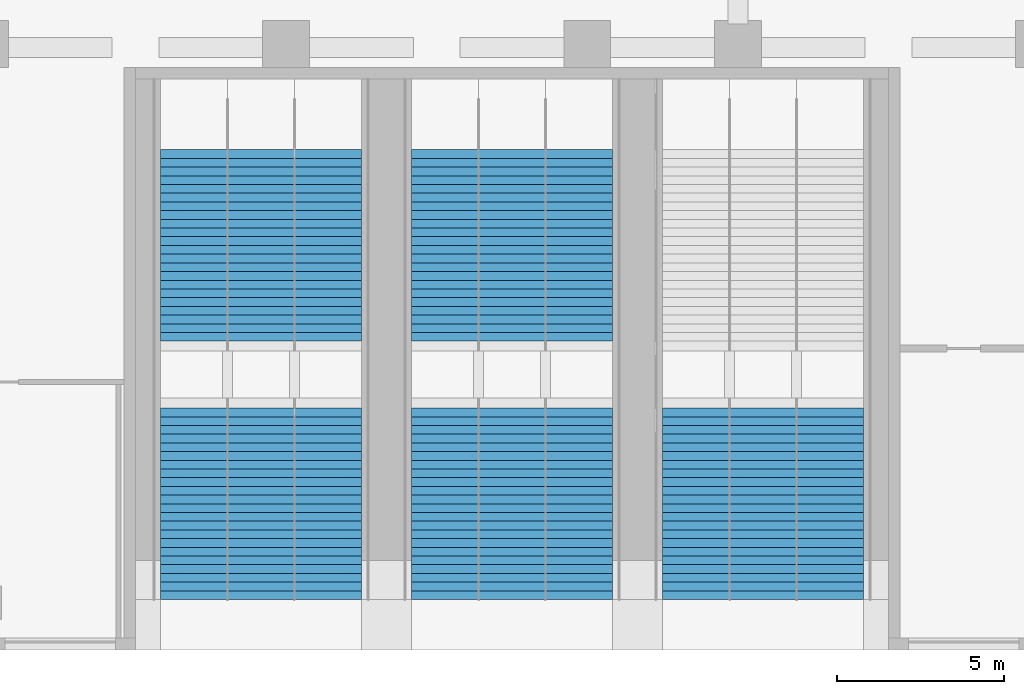
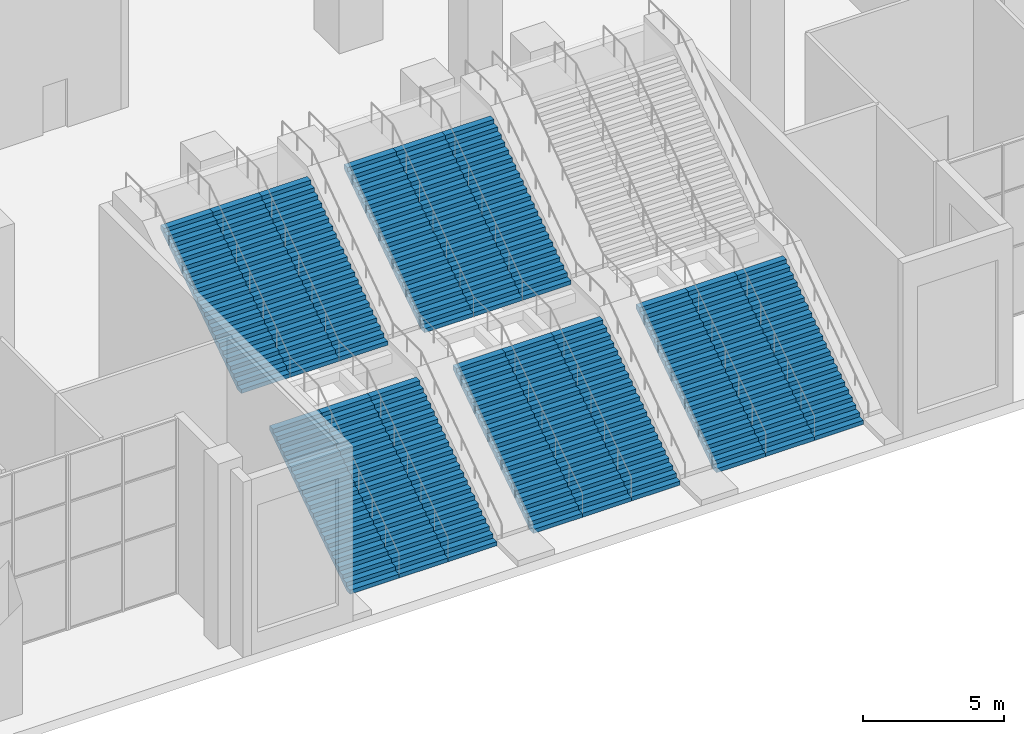
# One storey, part 18 of 32: 15 stair flights, 9 elements without a shape of their own.
"""IFC4 building model written with IfcOpenShell, lengths in metres."""

from ifc_helpers import new_model, si_unit, direction, frame, origin, place, context, subcontext, project, spatial, polyline, outline, extrude, material, constituent, constituent_set, type_object, element, aggregate, save


model = new_model("IFC4")

# Units and contexts
model_context = context("Model", 3, precision=1e-05, world=origin(), true_north=direction((0.0, 1.0)))
body_context = subcontext(model_context, "Body", "Model", "MODEL_VIEW")
ifc_project = project(units=[si_unit("LENGTHUNIT", "METRE"), si_unit("AREAUNIT", "SQUARE_METRE"), si_unit("VOLUMEUNIT", "CUBIC_METRE"), si_unit("PLANEANGLEUNIT", "RADIAN"), si_unit("MASSUNIT", "GRAM", prefix="KILO")], contexts=[model_context])

# Site, building, storey
site_placement = place(None, origin())
site = spatial("IfcSite", under=ifc_project, at=site_placement, CompositionType="ELEMENT")
building_placement = place(site_placement, origin())
building = spatial("IfcBuilding", under=site, at=building_placement, Name="Quoin Convention Tower", CompositionType="ELEMENT")
storey_placement = place(building_placement, origin())
storey = spatial("IfcBuildingStorey", under=building, at=storey_placement, Name="L00", CompositionType="ELEMENT", Elevation=0.0)

# Stair, stair flights
ifc_material_1 = material(Name="Concrete C40", Category="concrete")
ifc_constituent_1 = constituent(ifc_material_1, Name="Structure")
ifc_material_2 = material(Name="Granite", Category="masonry")
ifc_constituent_2 = constituent(ifc_material_2, Name="Finish")
ifc_constituent_set_1 = constituent_set(constituents=[ifc_constituent_1, ifc_constituent_2], Name="Concrete C40")
stair_type = type_object("IfcStairType", Name="Broad street stair", PredefinedType="STRAIGHT_RUN_STAIR", material=ifc_constituent_set_1)
stair_1_placement = place(storey_placement, origin())
stair_1 = element("IfcStair", 1, at=stair_1_placement, inside=storey, type_object=stair_type, Name="Broad street stair 1", PredefinedType="STRAIGHT_RUN_STAIR")
ifc_constituent_3 = constituent(ifc_material_1, Name="Structure")
ifc_constituent_4 = constituent(ifc_material_2, Name="Finish")
ifc_constituent_set_2 = constituent_set(constituents=[ifc_constituent_3, ifc_constituent_4], Name="Concrete C40")
stair_flight_type = type_object("IfcStairFlightType", Name="Broad street stair flight", PredefinedType="STRAIGHT", material=ifc_constituent_set_2)
stair_flight_1_placement = place(storey_placement, frame((42.25, 1.5, 0.0), z_axis=(0.0, 0.0, 1.0), x_axis=(0.0, 1.0, 0.0)))
stair_flight_1 = element("IfcStairFlight", 2, at=stair_flight_1_placement, type_object=stair_flight_type, Name="BS1 flight 1", NumberOfRisers=23, NumberOfTreads=22, PredefinedType="STRAIGHT", RiserHeight=0.173913043, TreadLength=0.26, context=body_context, shape_type="SweptSolid", body=[
    extrude(outline(polyline([(0.0, 0.0), (0.0, 0.173828125), (0.260009765625, 0.173828125), (0.260009765625, 0.347900390625), (0.52001953125, 0.347900390625), (0.52001953125, 0.521728515625), (0.780029296875, 0.521728515625), (0.780029296875, 0.695556640625), (1.0400390625, 0.695556640625), (1.0400390625, 0.86962890625), (1.300048828125, 0.86962890625), (1.300048828125, 1.04345703125), (1.56005859375, 1.04345703125), (1.56005859375, 1.21728515625), (1.820068359375, 1.21728515625), (1.820068359375, 1.391357421875), (2.080078125, 1.391357421875), (2.080078125, 1.565185546875), (2.340087890625, 1.565185546875), (2.340087890625, 1.739013671875), (2.60009765625, 1.739013671875), (2.60009765625, 1.9130859375), (2.860107421875, 1.9130859375), (2.860107421875, 2.0869140625), (3.1201171875, 2.0869140625), (3.1201171875, 2.260986328125), (3.3798828125, 2.260986328125), (3.3798828125, 2.434814453125), (3.639892578125, 2.434814453125), (3.639892578125, 2.608642578125), (3.89990234375, 2.608642578125), (3.89990234375, 2.78271484375), (4.159912109375, 2.78271484375), (4.159912109375, 2.95654296875), (4.419921875, 2.95654296875), (4.419921875, 3.13037109375), (4.679931640625, 3.13037109375), (4.679931640625, 3.304443359375), (4.93994140625, 3.304443359375), (4.93994140625, 3.478271484375), (5.199951171875, 3.478271484375), (5.199951171875, 3.652099609375), (5.4599609375, 3.652099609375), (5.4599609375, 3.826171875), (5.719970703125, 3.826171875), (5.719970703125, 4.0), (5.719970703125, 3.645751953125), (0.26953125, 0.0), (0.0, 0.0)])), frame((0.0, 1.0, 0.0), z_axis=(0.0, -1.0, 0.0), x_axis=(1.0, 0.0, 0.0)), (0.0, 0.0, 1.0), 2.0),
])
stair_flight_2_placement = place(storey_placement, frame((42.25, 9.219970703125, 4.0), z_axis=(0.0, 0.0, 1.0), x_axis=(0.0, 1.0, 0.0)))
stair_flight_2 = element("IfcStairFlight", 3, at=stair_flight_2_placement, type_object=stair_flight_type, Name="BS1 flight 2", NumberOfRisers=23, NumberOfTreads=22, PredefinedType="STRAIGHT", RiserHeight=0.173913043, TreadLength=0.26, context=body_context, shape_type="SweptSolid", body=[
    extrude(outline(polyline([(0.0, 0.0), (0.0, 0.173828125), (0.260009765625, 0.173828125), (0.260009765625, 0.347900390625), (0.52001953125, 0.347900390625), (0.52001953125, 0.521728515625), (0.780029296875, 0.521728515625), (0.780029296875, 0.695556640625), (1.0400390625, 0.695556640625), (1.0400390625, 0.86962890625), (1.300048828125, 0.86962890625), (1.300048828125, 1.04345703125), (1.56005859375, 1.04345703125), (1.56005859375, 1.21728515625), (1.820068359375, 1.21728515625), (1.820068359375, 1.391357421875), (2.080078125, 1.391357421875), (2.080078125, 1.565185546875), (2.340087890625, 1.565185546875), (2.340087890625, 1.739013671875), (2.60009765625, 1.739013671875), (2.60009765625, 1.9130859375), (2.860107421875, 1.9130859375), (2.860107421875, 2.0869140625), (3.1201171875, 2.0869140625), (3.1201171875, 2.260986328125), (3.3798828125, 2.260986328125), (3.3798828125, 2.434814453125), (3.639892578125, 2.434814453125), (3.639892578125, 2.608642578125), (3.89990234375, 2.608642578125), (3.89990234375, 2.78271484375), (4.159912109375, 2.78271484375), (4.159912109375, 2.95654296875), (4.419921875, 2.95654296875), (4.419921875, 3.13037109375), (4.679931640625, 3.13037109375), (4.679931640625, 3.304443359375), (4.93994140625, 3.304443359375), (4.93994140625, 3.478271484375), (5.199951171875, 3.478271484375), (5.199951171875, 3.652099609375), (5.4599609375, 3.652099609375), (5.4599609375, 3.826171875), (5.719970703125, 3.826171875), (5.719970703125, 4.0), (5.719970703125, 3.645751953125), (0.26953125, 0.0), (0.0, 0.0)])), frame((0.0, 1.0, 0.0), z_axis=(0.0, -1.0, 0.0), x_axis=(1.0, 0.0, 0.0)), (0.0, 0.0, 1.0), 2.0),
])
aggregate(stair_1, [stair_flight_1, stair_flight_2])

stair_2_placement = place(storey_placement, origin())
stair_2 = element("IfcStair", 4, at=stair_2_placement, inside=storey, type_object=stair_type, Name="Broad street stair 2", PredefinedType="STRAIGHT_RUN_STAIR")
stair_flight_3_placement = place(storey_placement, frame((44.25, 1.5, 0.0), z_axis=(0.0, 0.0, 1.0), x_axis=(0.0, 1.0, 0.0)))
stair_flight_3 = element("IfcStairFlight", 5, at=stair_flight_3_placement, type_object=stair_flight_type, Name="BS2 flight 1", NumberOfRisers=23, NumberOfTreads=22, PredefinedType="STRAIGHT", RiserHeight=0.173913043, TreadLength=0.26, context=body_context, shape_type="SweptSolid", body=[
    extrude(outline(polyline([(0.0, 0.0), (0.0, 0.173828125), (0.260009765625, 0.173828125), (0.260009765625, 0.347900390625), (0.52001953125, 0.347900390625), (0.52001953125, 0.521728515625), (0.780029296875, 0.521728515625), (0.780029296875, 0.695556640625), (1.0400390625, 0.695556640625), (1.0400390625, 0.86962890625), (1.300048828125, 0.86962890625), (1.300048828125, 1.04345703125), (1.56005859375, 1.04345703125), (1.56005859375, 1.21728515625), (1.820068359375, 1.21728515625), (1.820068359375, 1.391357421875), (2.080078125, 1.391357421875), (2.080078125, 1.565185546875), (2.340087890625, 1.565185546875), (2.340087890625, 1.739013671875), (2.60009765625, 1.739013671875), (2.60009765625, 1.9130859375), (2.860107421875, 1.9130859375), (2.860107421875, 2.0869140625), (3.1201171875, 2.0869140625), (3.1201171875, 2.260986328125), (3.3798828125, 2.260986328125), (3.3798828125, 2.434814453125), (3.639892578125, 2.434814453125), (3.639892578125, 2.608642578125), (3.89990234375, 2.608642578125), (3.89990234375, 2.78271484375), (4.159912109375, 2.78271484375), (4.159912109375, 2.95654296875), (4.419921875, 2.95654296875), (4.419921875, 3.13037109375), (4.679931640625, 3.13037109375), (4.679931640625, 3.304443359375), (4.93994140625, 3.304443359375), (4.93994140625, 3.478271484375), (5.199951171875, 3.478271484375), (5.199951171875, 3.652099609375), (5.4599609375, 3.652099609375), (5.4599609375, 3.826171875), (5.719970703125, 3.826171875), (5.719970703125, 4.0), (5.719970703125, 3.645751953125), (0.26953125, 0.0), (0.0, 0.0)])), frame((0.0, 1.0, 0.0), z_axis=(0.0, -1.0, 0.0), x_axis=(1.0, 0.0, 0.0)), (0.0, 0.0, 1.0), 2.0),
])
stair_flight_4_placement = place(storey_placement, frame((44.25, 9.219970703125, 4.0), z_axis=(0.0, 0.0, 1.0), x_axis=(0.0, 1.0, 0.0)))
stair_flight_4 = element("IfcStairFlight", 6, at=stair_flight_4_placement, type_object=stair_flight_type, Name="BS2 flight 2", NumberOfRisers=23, NumberOfTreads=22, PredefinedType="STRAIGHT", RiserHeight=0.173913043, TreadLength=0.26, context=body_context, shape_type="SweptSolid", body=[
    extrude(outline(polyline([(0.0, 0.0), (0.0, 0.173828125), (0.260009765625, 0.173828125), (0.260009765625, 0.347900390625), (0.52001953125, 0.347900390625), (0.52001953125, 0.521728515625), (0.780029296875, 0.521728515625), (0.780029296875, 0.695556640625), (1.0400390625, 0.695556640625), (1.0400390625, 0.86962890625), (1.300048828125, 0.86962890625), (1.300048828125, 1.04345703125), (1.56005859375, 1.04345703125), (1.56005859375, 1.21728515625), (1.820068359375, 1.21728515625), (1.820068359375, 1.391357421875), (2.080078125, 1.391357421875), (2.080078125, 1.565185546875), (2.340087890625, 1.565185546875), (2.340087890625, 1.739013671875), (2.60009765625, 1.739013671875), (2.60009765625, 1.9130859375), (2.860107421875, 1.9130859375), (2.860107421875, 2.0869140625), (3.1201171875, 2.0869140625), (3.1201171875, 2.260986328125), (3.3798828125, 2.260986328125), (3.3798828125, 2.434814453125), (3.639892578125, 2.434814453125), (3.639892578125, 2.608642578125), (3.89990234375, 2.608642578125), (3.89990234375, 2.78271484375), (4.159912109375, 2.78271484375), (4.159912109375, 2.95654296875), (4.419921875, 2.95654296875), (4.419921875, 3.13037109375), (4.679931640625, 3.13037109375), (4.679931640625, 3.304443359375), (4.93994140625, 3.304443359375), (4.93994140625, 3.478271484375), (5.199951171875, 3.478271484375), (5.199951171875, 3.652099609375), (5.4599609375, 3.652099609375), (5.4599609375, 3.826171875), (5.719970703125, 3.826171875), (5.719970703125, 4.0), (5.719970703125, 3.645751953125), (0.26953125, 0.0), (0.0, 0.0)])), frame((0.0, 1.0, 0.0), z_axis=(0.0, -1.0, 0.0), x_axis=(1.0, 0.0, 0.0)), (0.0, 0.0, 1.0), 2.0),
])
aggregate(stair_2, [stair_flight_3, stair_flight_4])

stair_3_placement = place(storey_placement, origin())
stair_3 = element("IfcStair", 7, at=stair_3_placement, inside=storey, type_object=stair_type, Name="Broad street stair 3", PredefinedType="STRAIGHT_RUN_STAIR")
stair_flight_5_placement = place(storey_placement, frame((46.25, 1.5, 0.0), z_axis=(0.0, 0.0, 1.0), x_axis=(0.0, 1.0, 0.0)))
stair_flight_5 = element("IfcStairFlight", 8, at=stair_flight_5_placement, type_object=stair_flight_type, Name="BS3 flight 1", NumberOfRisers=23, NumberOfTreads=22, PredefinedType="STRAIGHT", RiserHeight=0.173913043, TreadLength=0.26, context=body_context, shape_type="SweptSolid", body=[
    extrude(outline(polyline([(0.0, 0.0), (0.0, 0.173828125), (0.260009765625, 0.173828125), (0.260009765625, 0.347900390625), (0.52001953125, 0.347900390625), (0.52001953125, 0.521728515625), (0.780029296875, 0.521728515625), (0.780029296875, 0.695556640625), (1.0400390625, 0.695556640625), (1.0400390625, 0.86962890625), (1.300048828125, 0.86962890625), (1.300048828125, 1.04345703125), (1.56005859375, 1.04345703125), (1.56005859375, 1.21728515625), (1.820068359375, 1.21728515625), (1.820068359375, 1.391357421875), (2.080078125, 1.391357421875), (2.080078125, 1.565185546875), (2.340087890625, 1.565185546875), (2.340087890625, 1.739013671875), (2.60009765625, 1.739013671875), (2.60009765625, 1.9130859375), (2.860107421875, 1.9130859375), (2.860107421875, 2.0869140625), (3.1201171875, 2.0869140625), (3.1201171875, 2.260986328125), (3.3798828125, 2.260986328125), (3.3798828125, 2.434814453125), (3.639892578125, 2.434814453125), (3.639892578125, 2.608642578125), (3.89990234375, 2.608642578125), (3.89990234375, 2.78271484375), (4.159912109375, 2.78271484375), (4.159912109375, 2.95654296875), (4.419921875, 2.95654296875), (4.419921875, 3.13037109375), (4.679931640625, 3.13037109375), (4.679931640625, 3.304443359375), (4.93994140625, 3.304443359375), (4.93994140625, 3.478271484375), (5.199951171875, 3.478271484375), (5.199951171875, 3.652099609375), (5.4599609375, 3.652099609375), (5.4599609375, 3.826171875), (5.719970703125, 3.826171875), (5.719970703125, 4.0), (5.719970703125, 3.645751953125), (0.26953125, 0.0), (0.0, 0.0)])), frame((0.0, 1.0, 0.0), z_axis=(0.0, -1.0, 0.0), x_axis=(1.0, 0.0, 0.0)), (0.0, 0.0, 1.0), 2.0),
])
stair_flight_6_placement = place(storey_placement, frame((46.25, 9.219970703125, 4.0), z_axis=(0.0, 0.0, 1.0), x_axis=(0.0, 1.0, 0.0)))
stair_flight_6 = element("IfcStairFlight", 9, at=stair_flight_6_placement, type_object=stair_flight_type, Name="BS3 flight 2", NumberOfRisers=23, NumberOfTreads=22, PredefinedType="STRAIGHT", RiserHeight=0.173913043, TreadLength=0.26, context=body_context, shape_type="SweptSolid", body=[
    extrude(outline(polyline([(0.0, 0.0), (0.0, 0.173828125), (0.260009765625, 0.173828125), (0.260009765625, 0.347900390625), (0.52001953125, 0.347900390625), (0.52001953125, 0.521728515625), (0.780029296875, 0.521728515625), (0.780029296875, 0.695556640625), (1.0400390625, 0.695556640625), (1.0400390625, 0.86962890625), (1.300048828125, 0.86962890625), (1.300048828125, 1.04345703125), (1.56005859375, 1.04345703125), (1.56005859375, 1.21728515625), (1.820068359375, 1.21728515625), (1.820068359375, 1.391357421875), (2.080078125, 1.391357421875), (2.080078125, 1.565185546875), (2.340087890625, 1.565185546875), (2.340087890625, 1.739013671875), (2.60009765625, 1.739013671875), (2.60009765625, 1.9130859375), (2.860107421875, 1.9130859375), (2.860107421875, 2.0869140625), (3.1201171875, 2.0869140625), (3.1201171875, 2.260986328125), (3.3798828125, 2.260986328125), (3.3798828125, 2.434814453125), (3.639892578125, 2.434814453125), (3.639892578125, 2.608642578125), (3.89990234375, 2.608642578125), (3.89990234375, 2.78271484375), (4.159912109375, 2.78271484375), (4.159912109375, 2.95654296875), (4.419921875, 2.95654296875), (4.419921875, 3.13037109375), (4.679931640625, 3.13037109375), (4.679931640625, 3.304443359375), (4.93994140625, 3.304443359375), (4.93994140625, 3.478271484375), (5.199951171875, 3.478271484375), (5.199951171875, 3.652099609375), (5.4599609375, 3.652099609375), (5.4599609375, 3.826171875), (5.719970703125, 3.826171875), (5.719970703125, 4.0), (5.719970703125, 3.645751953125), (0.26953125, 0.0), (0.0, 0.0)])), frame((0.0, 1.0, 0.0), z_axis=(0.0, -1.0, 0.0), x_axis=(1.0, 0.0, 0.0)), (0.0, 0.0, 1.0), 2.0),
])
aggregate(stair_3, [stair_flight_5, stair_flight_6])

stair_4_placement = place(storey_placement, origin())
stair_4 = element("IfcStair", 10, at=stair_4_placement, inside=storey, type_object=stair_type, Name="Broad street stair 4", PredefinedType="STRAIGHT_RUN_STAIR")
stair_flight_7_placement = place(storey_placement, frame((49.75, 1.5, 0.0), z_axis=(0.0, 0.0, 1.0), x_axis=(0.0, 1.0, 0.0)))
stair_flight_7 = element("IfcStairFlight", 11, at=stair_flight_7_placement, type_object=stair_flight_type, Name="BS4 flight 1", NumberOfRisers=23, NumberOfTreads=22, PredefinedType="STRAIGHT", RiserHeight=0.173913043, TreadLength=0.26, context=body_context, shape_type="SweptSolid", body=[
    extrude(outline(polyline([(0.0, 0.0), (0.0, 0.173828125), (0.260009765625, 0.173828125), (0.260009765625, 0.347900390625), (0.52001953125, 0.347900390625), (0.52001953125, 0.521728515625), (0.780029296875, 0.521728515625), (0.780029296875, 0.695556640625), (1.0400390625, 0.695556640625), (1.0400390625, 0.86962890625), (1.300048828125, 0.86962890625), (1.300048828125, 1.04345703125), (1.56005859375, 1.04345703125), (1.56005859375, 1.21728515625), (1.820068359375, 1.21728515625), (1.820068359375, 1.391357421875), (2.080078125, 1.391357421875), (2.080078125, 1.565185546875), (2.340087890625, 1.565185546875), (2.340087890625, 1.739013671875), (2.60009765625, 1.739013671875), (2.60009765625, 1.9130859375), (2.860107421875, 1.9130859375), (2.860107421875, 2.0869140625), (3.1201171875, 2.0869140625), (3.1201171875, 2.260986328125), (3.3798828125, 2.260986328125), (3.3798828125, 2.434814453125), (3.639892578125, 2.434814453125), (3.639892578125, 2.608642578125), (3.89990234375, 2.608642578125), (3.89990234375, 2.78271484375), (4.159912109375, 2.78271484375), (4.159912109375, 2.95654296875), (4.419921875, 2.95654296875), (4.419921875, 3.13037109375), (4.679931640625, 3.13037109375), (4.679931640625, 3.304443359375), (4.93994140625, 3.304443359375), (4.93994140625, 3.478271484375), (5.199951171875, 3.478271484375), (5.199951171875, 3.652099609375), (5.4599609375, 3.652099609375), (5.4599609375, 3.826171875), (5.719970703125, 3.826171875), (5.719970703125, 4.0), (5.719970703125, 3.645751953125), (0.26953125, 0.0), (0.0, 0.0)])), frame((0.0, 1.0, 0.0), z_axis=(0.0, -1.0, 0.0), x_axis=(1.0, 0.0, 0.0)), (0.0, 0.0, 1.0), 2.0),
])
stair_flight_8_placement = place(storey_placement, frame((49.75, 9.219970703125, 4.0), z_axis=(0.0, 0.0, 1.0), x_axis=(0.0, 1.0, 0.0)))
stair_flight_8 = element("IfcStairFlight", 12, at=stair_flight_8_placement, type_object=stair_flight_type, Name="BS4 flight 2", NumberOfRisers=23, NumberOfTreads=22, PredefinedType="STRAIGHT", RiserHeight=0.173913043, TreadLength=0.26, context=body_context, shape_type="SweptSolid", body=[
    extrude(outline(polyline([(0.0, 0.0), (0.0, 0.173828125), (0.260009765625, 0.173828125), (0.260009765625, 0.347900390625), (0.52001953125, 0.347900390625), (0.52001953125, 0.521728515625), (0.780029296875, 0.521728515625), (0.780029296875, 0.695556640625), (1.0400390625, 0.695556640625), (1.0400390625, 0.86962890625), (1.300048828125, 0.86962890625), (1.300048828125, 1.04345703125), (1.56005859375, 1.04345703125), (1.56005859375, 1.21728515625), (1.820068359375, 1.21728515625), (1.820068359375, 1.391357421875), (2.080078125, 1.391357421875), (2.080078125, 1.565185546875), (2.340087890625, 1.565185546875), (2.340087890625, 1.739013671875), (2.60009765625, 1.739013671875), (2.60009765625, 1.9130859375), (2.860107421875, 1.9130859375), (2.860107421875, 2.0869140625), (3.1201171875, 2.0869140625), (3.1201171875, 2.260986328125), (3.3798828125, 2.260986328125), (3.3798828125, 2.434814453125), (3.639892578125, 2.434814453125), (3.639892578125, 2.608642578125), (3.89990234375, 2.608642578125), (3.89990234375, 2.78271484375), (4.159912109375, 2.78271484375), (4.159912109375, 2.95654296875), (4.419921875, 2.95654296875), (4.419921875, 3.13037109375), (4.679931640625, 3.13037109375), (4.679931640625, 3.304443359375), (4.93994140625, 3.304443359375), (4.93994140625, 3.478271484375), (5.199951171875, 3.478271484375), (5.199951171875, 3.652099609375), (5.4599609375, 3.652099609375), (5.4599609375, 3.826171875), (5.719970703125, 3.826171875), (5.719970703125, 4.0), (5.719970703125, 3.645751953125), (0.26953125, 0.0), (0.0, 0.0)])), frame((0.0, 1.0, 0.0), z_axis=(0.0, -1.0, 0.0), x_axis=(1.0, 0.0, 0.0)), (0.0, 0.0, 1.0), 2.0),
])
aggregate(stair_4, [stair_flight_7, stair_flight_8])

stair_5_placement = place(storey_placement, origin())
stair_5 = element("IfcStair", 13, at=stair_5_placement, inside=storey, type_object=stair_type, Name="Broad street stair 5", PredefinedType="STRAIGHT_RUN_STAIR")
stair_flight_9_placement = place(storey_placement, frame((51.75, 1.5, 0.0), z_axis=(0.0, 0.0, 1.0), x_axis=(0.0, 1.0, 0.0)))
stair_flight_9 = element("IfcStairFlight", 14, at=stair_flight_9_placement, type_object=stair_flight_type, Name="BS5 flight 1", NumberOfRisers=23, NumberOfTreads=22, PredefinedType="STRAIGHT", RiserHeight=0.173913043, TreadLength=0.26, context=body_context, shape_type="SweptSolid", body=[
    extrude(outline(polyline([(0.0, 0.0), (0.0, 0.173828125), (0.260009765625, 0.173828125), (0.260009765625, 0.347900390625), (0.52001953125, 0.347900390625), (0.52001953125, 0.521728515625), (0.780029296875, 0.521728515625), (0.780029296875, 0.695556640625), (1.0400390625, 0.695556640625), (1.0400390625, 0.86962890625), (1.300048828125, 0.86962890625), (1.300048828125, 1.04345703125), (1.56005859375, 1.04345703125), (1.56005859375, 1.21728515625), (1.820068359375, 1.21728515625), (1.820068359375, 1.391357421875), (2.080078125, 1.391357421875), (2.080078125, 1.565185546875), (2.340087890625, 1.565185546875), (2.340087890625, 1.739013671875), (2.60009765625, 1.739013671875), (2.60009765625, 1.9130859375), (2.860107421875, 1.9130859375), (2.860107421875, 2.0869140625), (3.1201171875, 2.0869140625), (3.1201171875, 2.260986328125), (3.3798828125, 2.260986328125), (3.3798828125, 2.434814453125), (3.639892578125, 2.434814453125), (3.639892578125, 2.608642578125), (3.89990234375, 2.608642578125), (3.89990234375, 2.78271484375), (4.159912109375, 2.78271484375), (4.159912109375, 2.95654296875), (4.419921875, 2.95654296875), (4.419921875, 3.13037109375), (4.679931640625, 3.13037109375), (4.679931640625, 3.304443359375), (4.93994140625, 3.304443359375), (4.93994140625, 3.478271484375), (5.199951171875, 3.478271484375), (5.199951171875, 3.652099609375), (5.4599609375, 3.652099609375), (5.4599609375, 3.826171875), (5.719970703125, 3.826171875), (5.719970703125, 4.0), (5.719970703125, 3.645751953125), (0.26953125, 0.0), (0.0, 0.0)])), frame((0.0, 1.0, 0.0), z_axis=(0.0, -1.0, 0.0), x_axis=(1.0, 0.0, 0.0)), (0.0, 0.0, 1.0), 2.0),
])
stair_flight_10_placement = place(storey_placement, frame((51.75, 9.219970703125, 4.0), z_axis=(0.0, 0.0, 1.0), x_axis=(0.0, 1.0, 0.0)))
stair_flight_10 = element("IfcStairFlight", 15, at=stair_flight_10_placement, type_object=stair_flight_type, Name="BS5 flight 2", NumberOfRisers=23, NumberOfTreads=22, PredefinedType="STRAIGHT", RiserHeight=0.173913043, TreadLength=0.26, context=body_context, shape_type="SweptSolid", body=[
    extrude(outline(polyline([(0.0, 0.0), (0.0, 0.173828125), (0.260009765625, 0.173828125), (0.260009765625, 0.347900390625), (0.52001953125, 0.347900390625), (0.52001953125, 0.521728515625), (0.780029296875, 0.521728515625), (0.780029296875, 0.695556640625), (1.0400390625, 0.695556640625), (1.0400390625, 0.86962890625), (1.300048828125, 0.86962890625), (1.300048828125, 1.04345703125), (1.56005859375, 1.04345703125), (1.56005859375, 1.21728515625), (1.820068359375, 1.21728515625), (1.820068359375, 1.391357421875), (2.080078125, 1.391357421875), (2.080078125, 1.565185546875), (2.340087890625, 1.565185546875), (2.340087890625, 1.739013671875), (2.60009765625, 1.739013671875), (2.60009765625, 1.9130859375), (2.860107421875, 1.9130859375), (2.860107421875, 2.0869140625), (3.1201171875, 2.0869140625), (3.1201171875, 2.260986328125), (3.3798828125, 2.260986328125), (3.3798828125, 2.434814453125), (3.639892578125, 2.434814453125), (3.639892578125, 2.608642578125), (3.89990234375, 2.608642578125), (3.89990234375, 2.78271484375), (4.159912109375, 2.78271484375), (4.159912109375, 2.95654296875), (4.419921875, 2.95654296875), (4.419921875, 3.13037109375), (4.679931640625, 3.13037109375), (4.679931640625, 3.304443359375), (4.93994140625, 3.304443359375), (4.93994140625, 3.478271484375), (5.199951171875, 3.478271484375), (5.199951171875, 3.652099609375), (5.4599609375, 3.652099609375), (5.4599609375, 3.826171875), (5.719970703125, 3.826171875), (5.719970703125, 4.0), (5.719970703125, 3.645751953125), (0.26953125, 0.0), (0.0, 0.0)])), frame((0.0, 1.0, 0.0), z_axis=(0.0, -1.0, 0.0), x_axis=(1.0, 0.0, 0.0)), (0.0, 0.0, 1.0), 2.0),
])
aggregate(stair_5, [stair_flight_9, stair_flight_10])

stair_6_placement = place(storey_placement, origin())
stair_6 = element("IfcStair", 16, at=stair_6_placement, inside=storey, type_object=stair_type, Name="Broad street stair 6", PredefinedType="STRAIGHT_RUN_STAIR")
stair_flight_11_placement = place(storey_placement, frame((53.75, 1.5, 0.0), z_axis=(0.0, 0.0, 1.0), x_axis=(0.0, 1.0, 0.0)))
stair_flight_11 = element("IfcStairFlight", 17, at=stair_flight_11_placement, type_object=stair_flight_type, Name="BS6 flight 1", NumberOfRisers=23, NumberOfTreads=22, PredefinedType="STRAIGHT", RiserHeight=0.173913043, TreadLength=0.26, context=body_context, shape_type="SweptSolid", body=[
    extrude(outline(polyline([(0.0, 0.0), (0.0, 0.173828125), (0.260009765625, 0.173828125), (0.260009765625, 0.347900390625), (0.52001953125, 0.347900390625), (0.52001953125, 0.521728515625), (0.780029296875, 0.521728515625), (0.780029296875, 0.695556640625), (1.0400390625, 0.695556640625), (1.0400390625, 0.86962890625), (1.300048828125, 0.86962890625), (1.300048828125, 1.04345703125), (1.56005859375, 1.04345703125), (1.56005859375, 1.21728515625), (1.820068359375, 1.21728515625), (1.820068359375, 1.391357421875), (2.080078125, 1.391357421875), (2.080078125, 1.565185546875), (2.340087890625, 1.565185546875), (2.340087890625, 1.739013671875), (2.60009765625, 1.739013671875), (2.60009765625, 1.9130859375), (2.860107421875, 1.9130859375), (2.860107421875, 2.0869140625), (3.1201171875, 2.0869140625), (3.1201171875, 2.260986328125), (3.3798828125, 2.260986328125), (3.3798828125, 2.434814453125), (3.639892578125, 2.434814453125), (3.639892578125, 2.608642578125), (3.89990234375, 2.608642578125), (3.89990234375, 2.78271484375), (4.159912109375, 2.78271484375), (4.159912109375, 2.95654296875), (4.419921875, 2.95654296875), (4.419921875, 3.13037109375), (4.679931640625, 3.13037109375), (4.679931640625, 3.304443359375), (4.93994140625, 3.304443359375), (4.93994140625, 3.478271484375), (5.199951171875, 3.478271484375), (5.199951171875, 3.652099609375), (5.4599609375, 3.652099609375), (5.4599609375, 3.826171875), (5.719970703125, 3.826171875), (5.719970703125, 4.0), (5.719970703125, 3.645751953125), (0.26953125, 0.0), (0.0, 0.0)])), frame((0.0, 1.0, 0.0), z_axis=(0.0, -1.0, 0.0), x_axis=(1.0, 0.0, 0.0)), (0.0, 0.0, 1.0), 2.0),
])
stair_flight_12_placement = place(storey_placement, frame((53.75, 9.219970703125, 4.0), z_axis=(0.0, 0.0, 1.0), x_axis=(0.0, 1.0, 0.0)))
stair_flight_12 = element("IfcStairFlight", 18, at=stair_flight_12_placement, type_object=stair_flight_type, Name="BS6 flight 2", NumberOfRisers=23, NumberOfTreads=22, PredefinedType="STRAIGHT", RiserHeight=0.173913043, TreadLength=0.26, context=body_context, shape_type="SweptSolid", body=[
    extrude(outline(polyline([(0.0, 0.0), (0.0, 0.173828125), (0.260009765625, 0.173828125), (0.260009765625, 0.347900390625), (0.52001953125, 0.347900390625), (0.52001953125, 0.521728515625), (0.780029296875, 0.521728515625), (0.780029296875, 0.695556640625), (1.0400390625, 0.695556640625), (1.0400390625, 0.86962890625), (1.300048828125, 0.86962890625), (1.300048828125, 1.04345703125), (1.56005859375, 1.04345703125), (1.56005859375, 1.21728515625), (1.820068359375, 1.21728515625), (1.820068359375, 1.391357421875), (2.080078125, 1.391357421875), (2.080078125, 1.565185546875), (2.340087890625, 1.565185546875), (2.340087890625, 1.739013671875), (2.60009765625, 1.739013671875), (2.60009765625, 1.9130859375), (2.860107421875, 1.9130859375), (2.860107421875, 2.0869140625), (3.1201171875, 2.0869140625), (3.1201171875, 2.260986328125), (3.3798828125, 2.260986328125), (3.3798828125, 2.434814453125), (3.639892578125, 2.434814453125), (3.639892578125, 2.608642578125), (3.89990234375, 2.608642578125), (3.89990234375, 2.78271484375), (4.159912109375, 2.78271484375), (4.159912109375, 2.95654296875), (4.419921875, 2.95654296875), (4.419921875, 3.13037109375), (4.679931640625, 3.13037109375), (4.679931640625, 3.304443359375), (4.93994140625, 3.304443359375), (4.93994140625, 3.478271484375), (5.199951171875, 3.478271484375), (5.199951171875, 3.652099609375), (5.4599609375, 3.652099609375), (5.4599609375, 3.826171875), (5.719970703125, 3.826171875), (5.719970703125, 4.0), (5.719970703125, 3.645751953125), (0.26953125, 0.0), (0.0, 0.0)])), frame((0.0, 1.0, 0.0), z_axis=(0.0, -1.0, 0.0), x_axis=(1.0, 0.0, 0.0)), (0.0, 0.0, 1.0), 2.0),
])
aggregate(stair_6, [stair_flight_11, stair_flight_12])

# Stair, stair flight
stair_7_placement = place(storey_placement, origin())
stair_7 = element("IfcStair", 19, at=stair_7_placement, inside=storey, type_object=stair_type, Name="Broad street stair 7", PredefinedType="STRAIGHT_RUN_STAIR")
stair_flight_13_placement = place(storey_placement, frame((57.25, 1.5, 0.0), z_axis=(0.0, 0.0, 1.0), x_axis=(0.0, 1.0, 0.0)))
stair_flight_13 = element("IfcStairFlight", 20, at=stair_flight_13_placement, type_object=stair_flight_type, Name="BS7 flight 1", NumberOfRisers=23, NumberOfTreads=22, PredefinedType="STRAIGHT", RiserHeight=0.173913043, TreadLength=0.26, context=body_context, shape_type="SweptSolid", body=[
    extrude(outline(polyline([(0.0, 0.0), (0.0, 0.173828125), (0.260009765625, 0.173828125), (0.260009765625, 0.347900390625), (0.52001953125, 0.347900390625), (0.52001953125, 0.521728515625), (0.780029296875, 0.521728515625), (0.780029296875, 0.695556640625), (1.0400390625, 0.695556640625), (1.0400390625, 0.86962890625), (1.300048828125, 0.86962890625), (1.300048828125, 1.04345703125), (1.56005859375, 1.04345703125), (1.56005859375, 1.21728515625), (1.820068359375, 1.21728515625), (1.820068359375, 1.391357421875), (2.080078125, 1.391357421875), (2.080078125, 1.565185546875), (2.340087890625, 1.565185546875), (2.340087890625, 1.739013671875), (2.60009765625, 1.739013671875), (2.60009765625, 1.9130859375), (2.860107421875, 1.9130859375), (2.860107421875, 2.0869140625), (3.1201171875, 2.0869140625), (3.1201171875, 2.260986328125), (3.3798828125, 2.260986328125), (3.3798828125, 2.434814453125), (3.639892578125, 2.434814453125), (3.639892578125, 2.608642578125), (3.89990234375, 2.608642578125), (3.89990234375, 2.78271484375), (4.159912109375, 2.78271484375), (4.159912109375, 2.95654296875), (4.419921875, 2.95654296875), (4.419921875, 3.13037109375), (4.679931640625, 3.13037109375), (4.679931640625, 3.304443359375), (4.93994140625, 3.304443359375), (4.93994140625, 3.478271484375), (5.199951171875, 3.478271484375), (5.199951171875, 3.652099609375), (5.4599609375, 3.652099609375), (5.4599609375, 3.826171875), (5.719970703125, 3.826171875), (5.719970703125, 4.0), (5.719970703125, 3.645751953125), (0.26953125, 0.0), (0.0, 0.0)])), frame((0.0, 1.0, 0.0), z_axis=(0.0, -1.0, 0.0), x_axis=(1.0, 0.0, 0.0)), (0.0, 0.0, 1.0), 2.0),
])
aggregate(stair_7, [stair_flight_13])

stair_8_placement = place(storey_placement, origin())
stair_8 = element("IfcStair", 21, at=stair_8_placement, inside=storey, type_object=stair_type, Name="Broad street stair 8", PredefinedType="STRAIGHT_RUN_STAIR")
stair_flight_14_placement = place(storey_placement, frame((59.25, 1.5, 0.0), z_axis=(0.0, 0.0, 1.0), x_axis=(0.0, 1.0, 0.0)))
stair_flight_14 = element("IfcStairFlight", 22, at=stair_flight_14_placement, type_object=stair_flight_type, Name="BS8 flight 1", NumberOfRisers=23, NumberOfTreads=22, PredefinedType="STRAIGHT", RiserHeight=0.173913043, TreadLength=0.26, context=body_context, shape_type="SweptSolid", body=[
    extrude(outline(polyline([(0.0, 0.0), (0.0, 0.173828125), (0.260009765625, 0.173828125), (0.260009765625, 0.347900390625), (0.52001953125, 0.347900390625), (0.52001953125, 0.521728515625), (0.780029296875, 0.521728515625), (0.780029296875, 0.695556640625), (1.0400390625, 0.695556640625), (1.0400390625, 0.86962890625), (1.300048828125, 0.86962890625), (1.300048828125, 1.04345703125), (1.56005859375, 1.04345703125), (1.56005859375, 1.21728515625), (1.820068359375, 1.21728515625), (1.820068359375, 1.391357421875), (2.080078125, 1.391357421875), (2.080078125, 1.565185546875), (2.340087890625, 1.565185546875), (2.340087890625, 1.739013671875), (2.60009765625, 1.739013671875), (2.60009765625, 1.9130859375), (2.860107421875, 1.9130859375), (2.860107421875, 2.0869140625), (3.1201171875, 2.0869140625), (3.1201171875, 2.260986328125), (3.3798828125, 2.260986328125), (3.3798828125, 2.434814453125), (3.639892578125, 2.434814453125), (3.639892578125, 2.608642578125), (3.89990234375, 2.608642578125), (3.89990234375, 2.78271484375), (4.159912109375, 2.78271484375), (4.159912109375, 2.95654296875), (4.419921875, 2.95654296875), (4.419921875, 3.13037109375), (4.679931640625, 3.13037109375), (4.679931640625, 3.304443359375), (4.93994140625, 3.304443359375), (4.93994140625, 3.478271484375), (5.199951171875, 3.478271484375), (5.199951171875, 3.652099609375), (5.4599609375, 3.652099609375), (5.4599609375, 3.826171875), (5.719970703125, 3.826171875), (5.719970703125, 4.0), (5.719970703125, 3.645751953125), (0.26953125, 0.0), (0.0, 0.0)])), frame((0.0, 1.0, 0.0), z_axis=(0.0, -1.0, 0.0), x_axis=(1.0, 0.0, 0.0)), (0.0, 0.0, 1.0), 2.0),
])
aggregate(stair_8, [stair_flight_14])

stair_9_placement = place(storey_placement, origin())
stair_9 = element("IfcStair", 23, at=stair_9_placement, inside=storey, type_object=stair_type, Name="Broad street stair 9", PredefinedType="STRAIGHT_RUN_STAIR")
stair_flight_15_placement = place(storey_placement, frame((61.25, 1.5, 0.0), z_axis=(0.0, 0.0, 1.0), x_axis=(0.0, 1.0, 0.0)))
stair_flight_15 = element("IfcStairFlight", 24, at=stair_flight_15_placement, type_object=stair_flight_type, Name="BS9 flight 1", NumberOfRisers=23, NumberOfTreads=22, PredefinedType="STRAIGHT", RiserHeight=0.173913043, TreadLength=0.26, context=body_context, shape_type="SweptSolid", body=[
    extrude(outline(polyline([(0.0, 0.0), (0.0, 0.173828125), (0.260009765625, 0.173828125), (0.260009765625, 0.347900390625), (0.52001953125, 0.347900390625), (0.52001953125, 0.521728515625), (0.780029296875, 0.521728515625), (0.780029296875, 0.695556640625), (1.0400390625, 0.695556640625), (1.0400390625, 0.86962890625), (1.300048828125, 0.86962890625), (1.300048828125, 1.04345703125), (1.56005859375, 1.04345703125), (1.56005859375, 1.21728515625), (1.820068359375, 1.21728515625), (1.820068359375, 1.391357421875), (2.080078125, 1.391357421875), (2.080078125, 1.565185546875), (2.340087890625, 1.565185546875), (2.340087890625, 1.739013671875), (2.60009765625, 1.739013671875), (2.60009765625, 1.9130859375), (2.860107421875, 1.9130859375), (2.860107421875, 2.0869140625), (3.1201171875, 2.0869140625), (3.1201171875, 2.260986328125), (3.3798828125, 2.260986328125), (3.3798828125, 2.434814453125), (3.639892578125, 2.434814453125), (3.639892578125, 2.608642578125), (3.89990234375, 2.608642578125), (3.89990234375, 2.78271484375), (4.159912109375, 2.78271484375), (4.159912109375, 2.95654296875), (4.419921875, 2.95654296875), (4.419921875, 3.13037109375), (4.679931640625, 3.13037109375), (4.679931640625, 3.304443359375), (4.93994140625, 3.304443359375), (4.93994140625, 3.478271484375), (5.199951171875, 3.478271484375), (5.199951171875, 3.652099609375), (5.4599609375, 3.652099609375), (5.4599609375, 3.826171875), (5.719970703125, 3.826171875), (5.719970703125, 4.0), (5.719970703125, 3.645751953125), (0.26953125, 0.0), (0.0, 0.0)])), frame((0.0, 1.0, 0.0), z_axis=(0.0, -1.0, 0.0), x_axis=(1.0, 0.0, 0.0)), (0.0, 0.0, 1.0), 2.0),
])
aggregate(stair_9, [stair_flight_15])

save(model, "model.ifc")
